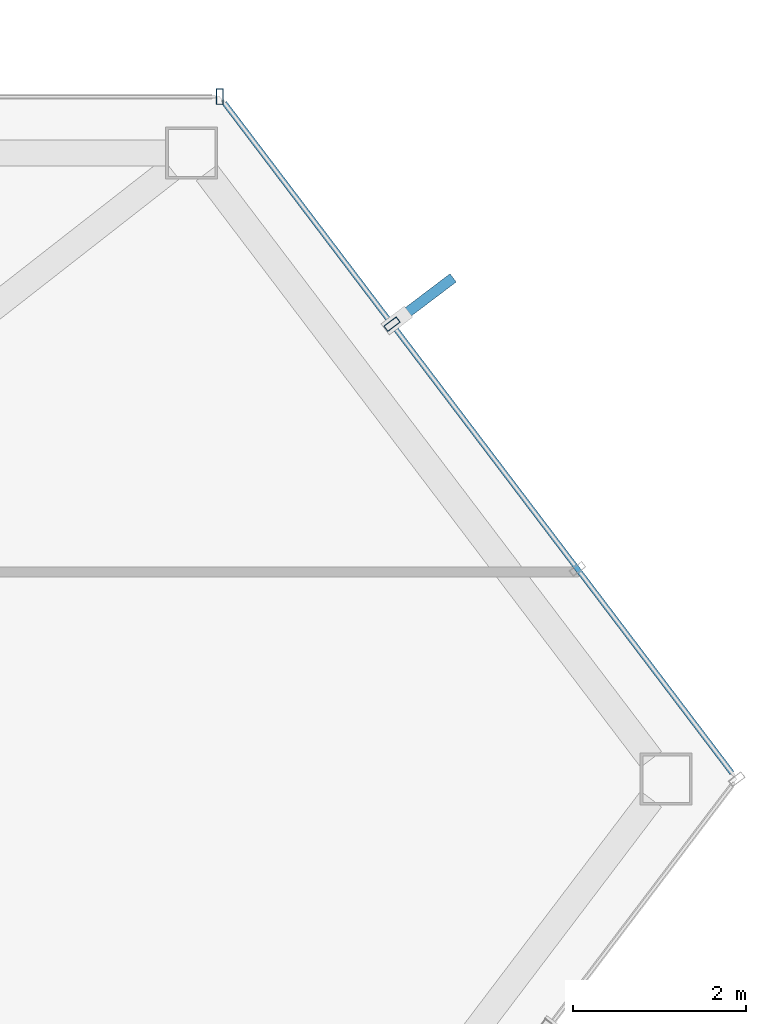
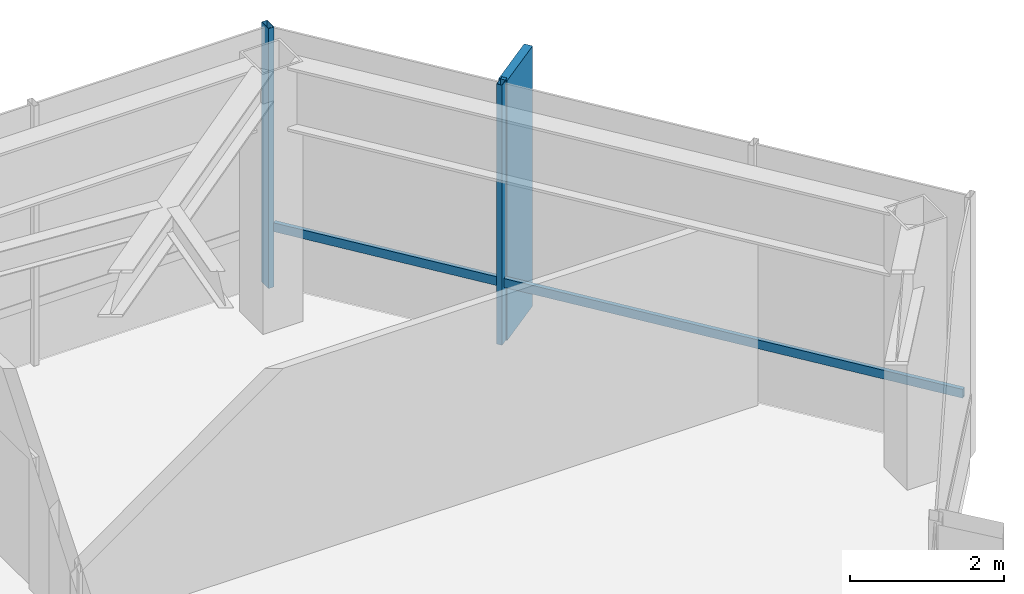
# One storey, part 17 of 23: 4 members, 2 elements without a shape of their own.
"""IFC4 building model written with IfcOpenShell, lengths in metres."""

from ifc_helpers import new_model, si_unit, direction, frame, origin, origin_2d, place, context, subcontext, project, spatial, rectangle, hollow_rectangle, extrude, material, layer, layer_set, material_profile, profile_set, type_object, element, aggregate, save


model = new_model("IFC4")

# Units and contexts
model_context = context("Model", 3, precision=1e-05, world=origin(), true_north=direction((0.0, 1.0)))
body_context = subcontext(model_context, "Body", "Model", "MODEL_VIEW")
ifc_project = project(units=[si_unit("LENGTHUNIT", "METRE"), si_unit("AREAUNIT", "SQUARE_METRE"), si_unit("VOLUMEUNIT", "CUBIC_METRE"), si_unit("PLANEANGLEUNIT", "RADIAN"), si_unit("MASSUNIT", "GRAM", prefix="KILO")], contexts=[model_context])

# Site, building, storey
site_placement = place(None, origin())
site = spatial("IfcSite", under=ifc_project, at=site_placement, CompositionType="ELEMENT")
building_placement = place(site_placement, origin())
building = spatial("IfcBuilding", under=site, at=building_placement, Name="Zarrinselat Tower", CompositionType="ELEMENT")
storey_placement = place(building_placement, frame((0.0, 0.0, 199.919921875)))
storey = spatial("IfcBuildingStorey", under=building, at=storey_placement, Name="L49", CompositionType="ELEMENT", Elevation=199.919921875)

# Curtain wall, member
ifc_material_1 = material(Name="Extruded Aluminium Alloy EN AW-6063 T6", Category="aluminium")
ifc_layer = layer(ifc_material_1, 0.195068359375)
ifc_layer_set = layer_set([ifc_layer], Name="Extruded Aluminium Alloy EN AW-6063 T6")
curtain_wall_type = type_object("IfcCurtainWallType", Name="CWS-GDN", PredefinedType="NOTDEFINED", material=ifc_layer_set)
curtain_wall_1_placement = place(storey_placement, origin())
curtain_wall_1 = element("IfcCurtainWall", 1, at=curtain_wall_1_placement, inside=storey, type_object=curtain_wall_type, Name="L49 Unitised Curtain Wall CW-L49-E02", PredefinedType="NOTDEFINED")
ifc_material_2 = material(Name="Extruded Aluminium Alloy EN AW-6063 T6", Category="aluminium")
ifc_material_profile_1 = material_profile(ifc_material_2, hollow_rectangle(XDim=0.080078125, YDim=0.179931640625, WallThickness=0.0048828125, at=origin_2d()), Name="RHS 180x80x5")
ifc_profile_set_1 = profile_set([ifc_material_profile_1], Name="Extruded Aluminium Alloy EN AW-6063 T6")
member_type_1 = type_object("IfcMemberType", Name="MEM-CW-MUL", PredefinedType="MULLION", material=ifc_profile_set_1)
member_1_placement = place(storey_placement, frame((56.402587890625, 48.489013671875, 0.0), z_axis=(0.0, 0.0, 1.0), x_axis=(1.0, 0.0, 0.0)))
member_1 = element("IfcMember", 2, at=member_1_placement, type_object=member_type_1, Name="CW-L49-E02 Mullion 11", PredefinedType="MULLION", context=body_context, shape_type="SweptSolid", body=[
    extrude(hollow_rectangle(XDim=0.080078125, YDim=0.179931640625, WallThickness=0.0048828125, at=origin_2d()), origin(), (0.0, 0.0, 1.0), 4.1201171875),
])
aggregate(curtain_wall_1, [member_1])

# Curtain wall, members
curtain_wall_2_placement = place(storey_placement, origin())
curtain_wall_2 = element("IfcCurtainWall", 3, at=curtain_wall_2_placement, inside=storey, type_object=curtain_wall_type, Name="L49 Unitised Curtain Wall CW-L49-E03", PredefinedType="NOTDEFINED")
member_2_placement = place(storey_placement, frame((58.392822265625, 45.86181640625, 0.0), z_axis=(0.0, 0.0, 1.0), x_axis=(0.603852236026, -0.797096278405, 0.0)))
member_2 = element("IfcMember", 4, at=member_2_placement, type_object=member_type_1, Name="CW-L49-E03 Mullion 1", PredefinedType="MULLION", context=body_context, shape_type="SweptSolid", body=[
    extrude(hollow_rectangle(XDim=0.080078125, YDim=0.179931640625, WallThickness=0.0048828125, at=origin_2d()), origin(), (0.0, 0.0, 1.0), 4.1201171875),
])
ifc_material_3 = material(Name="Extruded Aluminium Alloy EN AW-6063 T6", Category="aluminium")
ifc_material_profile_2 = material_profile(ifc_material_3, hollow_rectangle(XDim=0.06005859375, YDim=0.139892578125, WallThickness=0.00390625, at=origin_2d()), Name="RHS 140x60x4")
ifc_profile_set_2 = profile_set([ifc_material_profile_2], Name="Extruded Aluminium Alloy EN AW-6063 T6")
member_type_2 = type_object("IfcMemberType", Name="MEM-CW-TRN", PredefinedType="USERDEFINED", material=ifc_profile_set_2)
member_3_placement = place(storey_placement, frame((56.456787109375, 48.417236328125, 0.9501953125), z_axis=(0.603855751269, -0.797093615368, 0.0), x_axis=(0.797093615368, 0.603855751269, 0.0)))
member_3 = element("IfcMember", 5, at=member_3_placement, type_object=member_type_2, Name="CW-L49-E03 Transom 1", ObjectType="TRANSOM", PredefinedType="USERDEFINED", context=body_context, shape_type="SweptSolid", body=[
    extrude(hollow_rectangle(XDim=0.06005859375, YDim=0.139892578125, WallThickness=0.00390625, at=origin_2d()), origin(), (0.0, 0.0, 1.0), 9.7080078125),
])
ifc_material_4 = material(Name="Honed Cream Travertine Stone", Category="masonry")
ifc_material_profile_3 = material_profile(ifc_material_4, rectangle(XDim=0.1201171875, YDim=0.85009765625, at=origin_2d()), Name="FIN 850x120")
ifc_profile_set_3 = profile_set([ifc_material_profile_3], Name="Honed Cream Travertine Stone")
member_type_3 = type_object("IfcMemberType", Name="MEM-STONE-FIN", PredefinedType="USERDEFINED", material=ifc_profile_set_3)
member_4_placement = place(storey_placement, frame((58.759521484375, 46.1396484375, 0.0), z_axis=(0.0, 0.0, 1.0), x_axis=(0.603852236026, -0.797096278405, 0.0)))
member_4 = element("IfcMember", 6, at=member_4_placement, type_object=member_type_3, Name="L49 Stone Shading Fin CW-L49-E03-01", ObjectType="FIN", PredefinedType="USERDEFINED", context=body_context, shape_type="SweptSolid", body=[
    extrude(rectangle(XDim=0.1201171875, YDim=0.85009765625, at=origin_2d()), origin(), (0.0, 0.0, 1.0), 4.1201171875),
])
aggregate(curtain_wall_2, [member_2, member_4, member_3])

save(model, "model.ifc")
